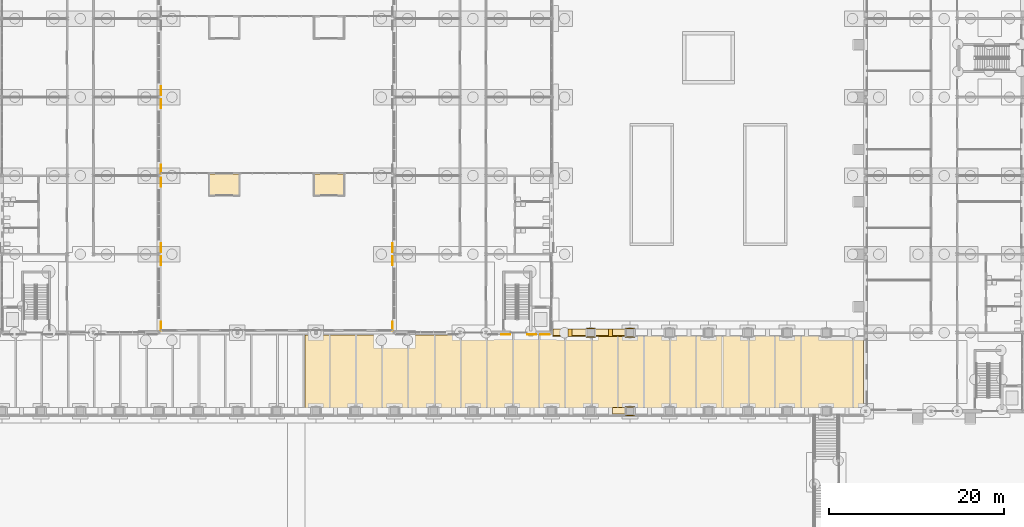
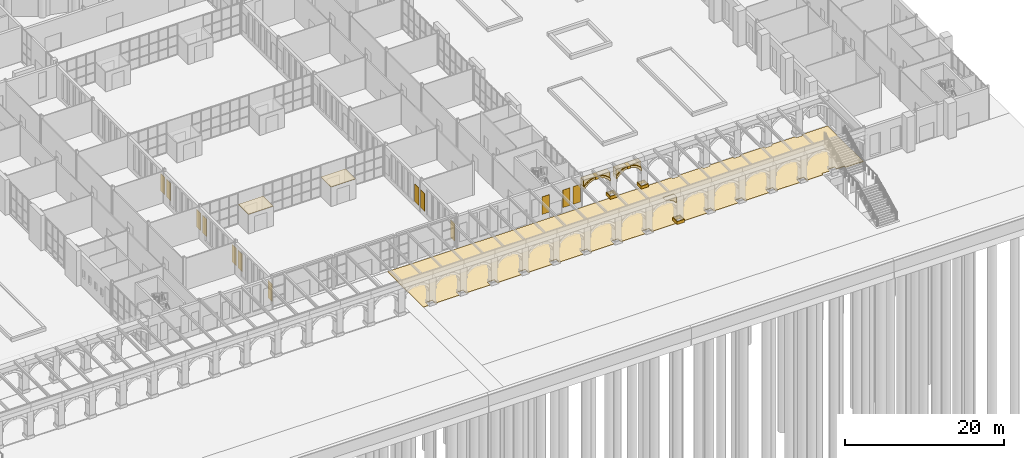
# One storey, part 134 of 168: 30 coverings.
"""IFC4 building model written with IfcOpenShell, lengths in metres."""

from ifc_helpers import new_model, si_unit, direction, frame, origin, place, context, subcontext, project, spatial, polyline, outline, extrude, material, layer, layer_set, type_object, element, save


model = new_model("IFC4")

# Units and contexts
model_context = context("Model", 3, precision=1e-05, world=origin(), true_north=direction((0.0, 1.0)))
body_context = subcontext(model_context, "Body", "Model", "MODEL_VIEW")
ifc_project = project(units=[si_unit("LENGTHUNIT", "METRE"), si_unit("AREAUNIT", "SQUARE_METRE"), si_unit("VOLUMEUNIT", "CUBIC_METRE"), si_unit("PLANEANGLEUNIT", "RADIAN"), si_unit("MASSUNIT", "GRAM", prefix="KILO")], contexts=[model_context])

# Site, building, storey
site_placement = place(None, origin())
site = spatial("IfcSite", under=ifc_project, at=site_placement, CompositionType="ELEMENT")
building_placement = place(site_placement, origin())
building = spatial("IfcBuilding", under=site, at=building_placement, Name="Golden Quay Civic Hall", CompositionType="ELEMENT")
storey_placement = place(building_placement, origin())
storey = spatial("IfcBuildingStorey", under=building, at=storey_placement, Name="L00", CompositionType="ELEMENT", Elevation=0.0)

# Coverings
ifc_material_1 = material(Name="Brick, dark clay facing", Category="masonry")
ifc_layer_1 = layer(ifc_material_1, 0.75)
ifc_layer_set_1 = layer_set([ifc_layer_1], Name="Brick arch spandrel infill 750")
covering_type_1 = type_object("IfcCoveringType", Name="Brick arch spandrel infill 750", PredefinedType="CLADDING", material=ifc_layer_set_1)
covering_1_placement = place(storey_placement, frame((123.97509765625, -9.300048828125, 4.091064453125), z_axis=(0.0, -1.0, 0.0), x_axis=(0.97842552974, 0.0, -0.206599813053)))
element("IfcCovering", 1, at=covering_1_placement, inside=storey, type_object=covering_type_1, Name="Arch spandrel outer bay 24 right", PredefinedType="CLADDING", context=body_context, shape_type="SweptSolid", body=[
    extrude(outline(polyline([(0.0, 0.0), (0.06263051710363293, 1.734723475976807e-18), (0.31267483867747137, -0.0001008788149670925), (0.5881025541456739, -0.03651242089648961), (0.8673750848258303, -0.11003975339043703), (1.1505561937424948, -0.22216655622637274), (1.4375212099073598, -0.3746658221616902), (1.7294911476562997, -0.5697749671774053), (1.7300697733119603, -0.5701518352031314), (1.539106176579233, 0.3342229342292182), (-0.0018662580768914177, 0.008838316552825392), (0.0, 0.0)])), origin(), (0.0, 0.0, -1.0), 0.75),
])
covering_2_placement = place(storey_placement, frame((117.199951171875, -0.300048828125, 3.1572265625), z_axis=(0.0, -1.0, 0.0), x_axis=(0.658056528973, 0.0, 0.752968528344)))
element("IfcCovering", 2, at=covering_2_placement, inside=storey, type_object=covering_type_1, Name="Arch spandrel inner1 bay 1 left", PredefinedType="CLADDING", context=body_context, shape_type="SweptSolid", body=[
    extrude(outline(polyline([(0.0, 0.0), (0.0385842612026579, 0.0), (0.4021525223351694, -0.03276039665791591), (0.7352018795032452, -0.09738057643804893), (1.0399151233174213, -0.19227712789255808), (1.3174647506449282, -0.31545263540967905), (1.568425423981958, -0.46608063545322176), (1.778152518425552, -0.6303723176978897), (1.8223660004242417, -0.6650096362183683), (1.8286162274661582, -0.659547252921231), (0.7099522598788931, 0.6204624792218898), (0.0, 0.0)])), origin(), (0.0, 0.0, -1.0), 0.75),
])
covering_3_placement = place(storey_placement, frame((119.35009765625, -0.300048828125, 4.091796875), z_axis=(0.0, -1.0, 0.0), x_axis=(0.982376592497, 0.0, -0.186912360519)))
element("IfcCovering", 3, at=covering_3_placement, inside=storey, type_object=covering_type_1, Name="Arch spandrel inner1 bay 1 right", PredefinedType="CLADDING", context=body_context, shape_type="SweptSolid", body=[
    extrude(outline(polyline([(0.0, 0.0), (0.05616561069495772, 0.0), (0.3225810962179613, -8.489841956726973e-06), (0.6130292018599638, -0.03620174733371928), (0.9074781455240727, -0.11040296603549432), (1.2058706207770802, -0.2236171309889091), (1.5078978096178108, -0.37813968321301317), (1.814301511987233, -0.5765632081953413), (1.8446749828176605, -0.600358112739552), (1.6684407210194774, 0.3258963795020623), (-0.001551518617591463, 0.0081544931994342), (0.0, 0.0)])), origin(), (0.0, 0.0, -1.0), 0.75),
])
covering_4_placement = place(storey_placement, frame((121.949951171875, -0.300048828125, 3.17578125), z_axis=(0.0, -1.0, 0.0), x_axis=(0.707106781187, 0.0, 0.707106781187)))
element("IfcCovering", 4, at=covering_4_placement, inside=storey, type_object=covering_type_1, Name="Arch spandrel inner1 bay 2 left", PredefinedType="CLADDING", context=body_context, shape_type="SweptSolid", body=[
    extrude(outline(polyline([(0.0, 0.0), (0.0006905339660024879, 0.0), (0.35182705567826755, 0.004143203796014933), (0.6755148522419337, -0.02468658928458889), (0.9739981590465092, -0.08528094480130727), (1.2481401435494968, -0.17608616133063437), (1.4988039732084, -0.29589380443206603), (1.7083810318901549, -0.4322742627175573), (1.760861613306344, -0.46645569403468046), (1.767249052491867, -0.4600682548491575), (0.6535903988213547, 0.6535903988213547), (0.0, 0.0)])), origin(), (0.0, 0.0, -1.0), 0.75),
])
covering_5_placement = place(storey_placement, frame((123.97509765625, -0.300048828125, 4.091064453125), z_axis=(0.0, -1.0, 0.0), x_axis=(0.97842552974, 0.0, -0.206599813053)))
element("IfcCovering", 5, at=covering_5_placement, inside=storey, type_object=covering_type_1, Name="Arch spandrel inner1 bay 2 right", PredefinedType="CLADDING", context=body_context, shape_type="SweptSolid", body=[
    extrude(outline(polyline([(0.0, 0.0), (0.06263051710363293, 1.734723475976807e-18), (0.31267483867747137, -0.0001008788149670925), (0.5881025541456739, -0.03651242089648961), (0.8673750848258303, -0.11003975339043703), (1.1505561937424948, -0.22216655622637274), (1.4375212099073598, -0.3746658221616902), (1.7294911476562997, -0.5697749671774053), (1.7300697733119603, -0.5701518352031314), (1.539106176579233, 0.3342229342292182), (-0.0018662580768914177, 0.008838316552825392), (0.0, 0.0)])), origin(), (0.0, 0.0, -1.0), 0.75),
])
ifc_material_2 = material(Name="Concrete block paving", Category="concrete")
ifc_layer_2 = layer(ifc_material_2, 0.10009765625)
ifc_layer_set_2 = layer_set([ifc_layer_2], Name="Concrete block paving 100")
covering_type_2 = type_object("IfcCoveringType", Name="Concrete block paving 100", PredefinedType="FLOORING", material=ifc_layer_set_2)
covering_6_placement = place(storey_placement, frame((0.0, 0.0, -0.10009765625)))
element("IfcCovering", 6, at=covering_6_placement, inside=storey, type_object=covering_type_2, Name="Arcade floor paving", PredefinedType="FLOORING", context=body_context, shape_type="SweptSolid", body=[
    extrude(outline(polyline([(152.75, -0.25), (152.75, -8.864990234375), (152.75, -9.25), (150.14990234375, -9.25), (150.14990234375, -8.949951171875), (149.0, -8.949951171875), (149.0, -8.5), (148.0, -8.5), (148.0, -8.949951171875), (146.85009765625, -8.949951171875), (146.85009765625, -9.25), (144.5, -9.25), (144.5, -8.5), (143.5, -8.5), (143.5, -9.25), (140.0, -9.25), (140.0, -8.5), (139.0, -8.5), (139.0, -9.25), (135.5, -9.25), (135.5, -8.5), (134.5, -8.5), (134.5, -9.25), (131.0, -9.25), (131.0, -8.5), (130.0, -8.5), (130.0, -9.25), (126.5, -9.25), (126.5, -8.5), (125.5, -8.5), (125.5, -9.25), (122.0, -9.25), (122.0, -8.5), (121.0, -8.5), (121.0, -9.25), (117.5, -9.25), (117.5, -8.5), (116.5, -8.5), (116.5, -9.25), (113.0, -9.25), (113.0, -8.5), (112.0, -8.5), (112.0, -9.25), (108.5, -9.25), (108.5, -8.5), (107.5, -8.5), (107.5, -9.25), (104.0, -9.25), (104.0, -8.5), (103.0, -8.5), (103.0, -9.25), (99.5, -9.25), (99.5, -8.5), (98.5, -8.5), (98.5, -9.25), (95.0, -9.25), (95.0, -8.5), (94.0, -8.5), (94.0, -9.25), (90.5, -9.25), (90.5, -8.5), (89.5, -8.5), (89.5, -9.25), (88.75, -9.25), (88.75, -0.25), (98.75, -0.25), (99.009033203125, -0.25), (99.25, -0.25), (106.490966796875, -0.25), (106.509033203125, -0.25), (109.490966796875, -0.25), (109.509033203125, -0.25), (116.990966796875, -0.25), (117.25, -0.25), (121.0, -0.25), (121.0, -0.5), (122.0, -0.5), (122.0, -0.25), (125.5, -0.25), (125.5, -0.5), (126.5, -0.5), (126.5, -0.25), (130.0, -0.25), (130.0, -0.5), (131.0, -0.5), (131.0, -0.25), (134.5, -0.25), (134.5, -0.5), (135.5, -0.5), (135.5, -0.25), (139.0, -0.25), (139.0, -0.5), (140.0, -0.5), (140.0, -0.25), (143.5, -0.25), (143.5, -0.5), (144.5, -0.5), (144.5, -0.25), (148.0, -0.25), (148.0, -0.5), (149.0, -0.5), (149.0, -0.25), (152.75, -0.25)])), origin(), (0.0, 0.0, 1.0), 0.10009765625),
])
ifc_material_3 = material(Name="Fire-resisting board")
ifc_layer_3 = layer(ifc_material_3, 0.030029296875)
ifc_layer_set_3 = layer_set([ifc_layer_3], Name="Fire lobby ceiling lining 30")
covering_type_3 = type_object("IfcCoveringType", Name="Fire lobby ceiling lining 30", PredefinedType="CEILING", material=ifc_layer_set_3)
covering_7_placement = place(storey_placement, frame((0.0, 0.0, 3.0)))
element("IfcCovering", 7, at=covering_7_placement, inside=storey, type_object=covering_type_3, Name="Fire lobby ceiling 1", PredefinedType="CEILING", context=body_context, shape_type="SweptSolid", body=[
    extrude(outline(polyline([(81.300048828125, 15.64501953125), (81.300048828125, 18.195068359375), (77.699951171875, 18.195068359375), (77.699951171875, 15.64501953125), (81.300048828125, 15.64501953125)])), origin(), (0.0, 0.0, 1.0), 0.030029296875),
])
covering_8_placement = place(storey_placement, frame((0.0, 0.0, 3.0)))
element("IfcCovering", 8, at=covering_8_placement, inside=storey, type_object=covering_type_3, Name="Fire lobby ceiling 1", PredefinedType="CEILING", context=body_context, shape_type="SweptSolid", body=[
    extrude(outline(polyline([(93.300048828125, 15.64501953125), (93.300048828125, 18.195068359375), (89.699951171875, 18.195068359375), (89.699951171875, 15.64501953125), (93.300048828125, 15.64501953125)])), origin(), (0.0, 0.0, 1.0), 0.030029296875),
])
ifc_material_4 = material(Name="Stone, buff limestone", Category="masonry")
ifc_layer_4 = layer(ifc_material_4, 0.89990234375)
ifc_layer_set_4 = layer_set([ifc_layer_4], Name="Stone arch keystone 450 x 420")
covering_type_4 = type_object("IfcCoveringType", Name="Stone arch keystone 450 x 420", PredefinedType="CLADDING", material=ifc_layer_set_4)
for number, where, z_axis, x_axis, name in (
    (9, (118.89990234375, -0.449951171875, 3.679931640625), (0.0, -1.0, 0.0), (1.0, 0.0, 0.0), "Arch keystone inner1 bay 1 crown"),
    (10, (123.52490234375, -0.449951171875, 3.679931640625), (0.0, -1.0, 0.0), (1.0, 0.0, 0.0), "Arch keystone inner1 bay 2 crown"),
):
    element("IfcCovering", number, at=place(storey_placement, frame(where, z_axis=z_axis, x_axis=x_axis)), inside=storey, type_object=covering_type_4, Name=name, PredefinedType="CLADDING", context=body_context, shape_type="SweptSolid", body=[
        extrude(outline(polyline([(0.0, 0.0), (0.4501953125, 0.0), (0.4501953125, 0.420166015625), (0.0, 0.420166015625), (0.0, 0.0)])), origin(), (0.0, 0.0, -1.0), 0.89990234375),
    ])
ifc_material_5 = material(Name="Stone, buff limestone", Category="masonry")
ifc_layer_5 = layer(ifc_material_5, 0.89990234375)
ifc_layer_set_5 = layer_set([ifc_layer_5], Name="Stone arch ring 900 x 300")
covering_type_5 = type_object("IfcCoveringType", Name="Stone arch ring 900 x 300", PredefinedType="CLADDING", material=ifc_layer_set_5)
covering_9_placement = place(storey_placement, frame((117.199951171875, -0.449951171875, 2.699951171875), z_axis=(0.0, -1.0, 0.0), x_axis=(0.655607573195, 0.0, 0.75510178782)))
element("IfcCovering", 11, at=covering_9_placement, inside=storey, type_object=covering_type_5, Name="Arch ring inner1 bay 1 left", PredefinedType="CLADDING", context=body_context, shape_type="SweptSolid", body=[
    extrude(outline(polyline([(0.0, 0.0), (0.37052641215113535, 0.0), (0.7049200239085212, -0.03137184676420662), (1.0065234442554076, -0.09089004085938673), (1.2786064104358172, -0.17636231724758233), (1.5230367232536635, -0.2858436600369565), (1.7414735419107, -0.41789352524343826), (1.934862912098755, -0.5713671991885638), (2.165486041142534, -0.37113158540273483), (2.1213852871341565, -0.3363508533714772), (1.9121928840139812, -0.1713788876459601), (1.6617227426728611, -0.019936613972285855), (1.3845746275894437, 0.1041396673527406), (1.0801711951167352, 0.2000253635360042), (0.7473334673810057, 0.26572687752618274), (0.3838735226929925, 0.29966789547627354), (0.3452894649872084, 0.2997932091293825), (0.0, 0.0)])), origin(), (0.0, 0.0, -1.0), 0.89990234375),
])
covering_10_placement = place(storey_placement, frame((119.35009765625, -0.449951171875, 3.786376953125), z_axis=(0.0, -1.0, 0.0), x_axis=(0.982939290351, 0.0, -0.183930289744)))
element("IfcCovering", 12, at=covering_10_placement, inside=storey, type_object=covering_type_5, Name="Arch ring inner1 bay 1 right", PredefinedType="CLADDING", context=body_context, shape_type="SweptSolid", body=[
    extrude(outline(polyline([(0.0, 0.0), (0.24688786340350402, 0.0), (0.5000778577654419, -0.03235177585634241), (0.759599436808497, -0.09854008490102112), (1.0258567442357194, -0.20072470584818516), (1.2991037580492646, -0.34159027309324475), (1.5805389067688107, -0.5248865835273426), (1.8707754072436686, -0.7552180748473547), (1.7866686121533664, -0.30574412689165364), (1.7563674913828704, -0.28185715779537124), (1.4505673541333268, -0.0825047057154874), (1.1490104843418525, 0.07293369438710287), (0.8509629531809246, 0.18705286719602054), (0.5567405431855433, 0.2621473059930982), (0.26640361034481397, 0.2992218172849632), (-1.0622654082560745e-05, 0.3000387959534945), (-0.05617597472395519, 0.30020924126672827), (0.0, 0.0)])), origin(), (0.0, 0.0, -1.0), 0.89990234375),
])
covering_11_placement = place(storey_placement, frame((121.949951171875, -0.449951171875, 2.699951171875), z_axis=(0.0, -1.0, 0.0), x_axis=(0.630180832165, 0.0, 0.776448400585)))
element("IfcCovering", 13, at=covering_11_placement, inside=storey, type_object=covering_type_5, Name="Arch ring inner1 bay 2 left", PredefinedType="CLADDING", context=body_context, shape_type="SweptSolid", body=[
    extrude(outline(polyline([(0.0, 0.0), (0.3571953394339093, 0.0), (0.6778408073481526, -0.02935016390994566), (0.9656562359875701, -0.08566026756533418), (1.2233312115769217, -0.1664329572349489), (1.452986632547569, -0.2696324374142566), (1.6564467051663616, -0.39440701136103273), (1.8345410995356382, -0.5394544374263122), (2.0726317223713804, -0.3462153931881483), (2.023967866388838, -0.30678937647863513), (1.8296201479431229, -0.14946443483618055), (1.5926919309667726, -0.004373956702034887), (1.3294118430005957, 0.11429790304869314), (1.038796361200025, 0.20543846536483718), (0.7198262528649223, 0.2675916358552039), (0.37014433379061235, 0.2997875748909126), (0.36945750311055836, 0.2998589946020553), (0.0, 0.0)])), origin(), (0.0, 0.0, -1.0), 0.89990234375),
])
covering_12_placement = place(storey_placement, frame((123.97509765625, -0.449951171875, 3.784423828125), z_axis=(0.0, -1.0, 0.0), x_axis=(0.978953882547, 0.0, -0.20408159115)))
element("IfcCovering", 14, at=covering_12_placement, inside=storey, type_object=covering_type_5, Name="Arch ring inner1 bay 2 right", PredefinedType="CLADDING", context=body_context, shape_type="SweptSolid", body=[
    extrude(outline(polyline([(0.0, 0.0), (0.22968754671057404, 0.0), (0.4662407685933837, -0.031737496286033756), (0.7094806084662527, -0.09674615254891705), (0.9602836680123576, -0.19683833887607075), (1.2190088401055397, -0.33493190882748347), (1.486164491441282, -0.5146617232013373), (1.7631254697749046, -0.7402301762123651), (1.666017310314196, -0.27441447379927847), (1.665439656274305, -0.27403611818824464), (1.3739727106559259, -0.07817636573824266), (1.0874010326963535, 0.07506077076837225), (0.8045093690852512, 0.18791584163726896), (0.5254269523975812, 0.26216151297199447), (0.25009383740278873, 0.29928162385615015), (5.060311670204709e-05, 0.3000258789264141), (-0.06257970666118522, 0.30018703039037287), (0.0, 0.0)])), origin(), (0.0, 0.0, -1.0), 0.89990234375),
])
ifc_material_6 = material(Name="Stone, buff limestone", Category="masonry")
ifc_layer_6 = layer(ifc_material_6, 0.449951171875)
ifc_layer_set_6 = layer_set([ifc_layer_6], Name="Stone pier plinth 450")
covering_type_6 = type_object("IfcCoveringType", Name="Stone pier plinth 450", PredefinedType="CLADDING", material=ifc_layer_set_6)
covering_13_placement = place(storey_placement, origin())
element("IfcCovering", 15, at=covering_13_placement, inside=storey, type_object=covering_type_6, Name="Pier plinth outer 126", PredefinedType="CLADDING", context=body_context, shape_type="SweptSolid", body=[
    extrude(outline(polyline([(125.449951171875, -9.550048828125), (126.550048828125, -9.550048828125), (126.550048828125, -8.449951171875), (125.449951171875, -8.449951171875), (125.449951171875, -9.550048828125)]), holes=[polyline([(125.550048828125, -9.449951171875), (126.449951171875, -9.449951171875), (126.449951171875, -8.550048828125), (125.550048828125, -8.550048828125), (125.550048828125, -9.449951171875)])]), origin(), (0.0, 0.0, 1.0), 0.449951171875),
])
covering_14_placement = place(storey_placement, origin())
element("IfcCovering", 16, at=covering_14_placement, inside=storey, type_object=covering_type_6, Name="Pier plinth inner1 121.5", PredefinedType="CLADDING", context=body_context, shape_type="SweptSolid", body=[
    extrude(outline(polyline([(120.949951171875, -0.550048828125), (122.050048828125, -0.550048828125), (122.050048828125, 0.550048828125), (120.949951171875, 0.550048828125), (120.949951171875, -0.550048828125)]), holes=[polyline([(121.050048828125, -0.449951171875), (121.949951171875, -0.449951171875), (121.949951171875, 0.449951171875), (121.050048828125, 0.449951171875), (121.050048828125, -0.449951171875)])]), origin(), (0.0, 0.0, 1.0), 0.449951171875),
])
covering_15_placement = place(storey_placement, origin())
element("IfcCovering", 17, at=covering_15_placement, inside=storey, type_object=covering_type_6, Name="Pier plinth inner1 126", PredefinedType="CLADDING", context=body_context, shape_type="SweptSolid", body=[
    extrude(outline(polyline([(125.449951171875, -0.550048828125), (126.550048828125, -0.550048828125), (126.550048828125, 0.550048828125), (125.449951171875, 0.550048828125), (125.449951171875, -0.550048828125)]), holes=[polyline([(125.550048828125, -0.449951171875), (126.449951171875, -0.449951171875), (126.449951171875, 0.449951171875), (125.550048828125, 0.449951171875), (125.550048828125, -0.449951171875)])]), origin(), (0.0, 0.0, 1.0), 0.449951171875),
])
ifc_material_7 = material(Name="Terracotta cladding, golden glaze", Category="masonry")
ifc_layer_7 = layer(ifc_material_7, 0.050048828125)
ifc_layer_set_7 = layer_set([ifc_layer_7], Name="Terracotta solid panel 1050 x 2700 x 50")
covering_type_7 = type_object("IfcCoveringType", Name="Terracotta solid panel 1050 x 2700 x 50", PredefinedType="CLADDING", material=ifc_layer_set_7)
covering_16_placement = place(storey_placement, frame((0.0, 0.0, 0.89990234375)))
element("IfcCovering", 18, at=covering_16_placement, inside=storey, type_object=covering_type_7, Name="Terracotta solid panel 1050 x 2700 x 50 L00 30", PredefinedType="CLADDING", context=body_context, shape_type="SweptSolid", body=[
    extrude(outline(polyline([(72.199951171875, 0.22509765625), (72.199951171875, 1.27490234375), (72.25, 1.27490234375), (72.25, 0.22509765625), (72.199951171875, 0.22509765625)])), origin(), (0.0, 0.0, 1.0), 2.7001953125),
])
covering_17_placement = place(storey_placement, frame((0.0, 0.0, 0.89990234375)))
element("IfcCovering", 19, at=covering_17_placement, inside=storey, type_object=covering_type_7, Name="Terracotta solid panel 1050 x 2700 x 50 L00 31", PredefinedType="CLADDING", context=body_context, shape_type="SweptSolid", body=[
    extrude(outline(polyline([(72.199951171875, 7.72509765625), (72.199951171875, 8.77490234375), (72.25, 8.77490234375), (72.25, 7.72509765625), (72.199951171875, 7.72509765625)])), origin(), (0.0, 0.0, 1.0), 2.7001953125),
])
covering_18_placement = place(storey_placement, frame((0.0, 0.0, 0.89990234375)))
element("IfcCovering", 20, at=covering_18_placement, inside=storey, type_object=covering_type_7, Name="Terracotta solid panel 1050 x 2700 x 50 L00 32", PredefinedType="CLADDING", context=body_context, shape_type="SweptSolid", body=[
    extrude(outline(polyline([(72.199951171875, 9.22509765625), (72.199951171875, 10.27490234375), (72.25, 10.27490234375), (72.25, 9.22509765625), (72.199951171875, 9.22509765625)])), origin(), (0.0, 0.0, 1.0), 2.7001953125),
])
covering_19_placement = place(storey_placement, frame((0.0, 0.0, 0.89990234375)))
element("IfcCovering", 21, at=covering_19_placement, inside=storey, type_object=covering_type_7, Name="Terracotta solid panel 1050 x 2700 x 50 L00 33", PredefinedType="CLADDING", context=body_context, shape_type="SweptSolid", body=[
    extrude(outline(polyline([(72.199951171875, 16.72509765625), (72.199951171875, 17.77490234375), (72.25, 17.77490234375), (72.25, 16.72509765625), (72.199951171875, 16.72509765625)])), origin(), (0.0, 0.0, 1.0), 2.7001953125),
])
covering_20_placement = place(storey_placement, frame((0.0, 0.0, 0.89990234375)))
element("IfcCovering", 22, at=covering_20_placement, inside=storey, type_object=covering_type_7, Name="Terracotta solid panel 1050 x 2700 x 50 L00 34", PredefinedType="CLADDING", context=body_context, shape_type="SweptSolid", body=[
    extrude(outline(polyline([(72.199951171875, 18.22509765625), (72.199951171875, 19.27490234375), (72.25, 19.27490234375), (72.25, 18.22509765625), (72.199951171875, 18.22509765625)])), origin(), (0.0, 0.0, 1.0), 2.7001953125),
])
covering_21_placement = place(storey_placement, frame((0.0, 0.0, 0.89990234375)))
element("IfcCovering", 23, at=covering_21_placement, inside=storey, type_object=covering_type_7, Name="Terracotta solid panel 1050 x 2700 x 50 L00 35", PredefinedType="CLADDING", context=body_context, shape_type="SweptSolid", body=[
    extrude(outline(polyline([(72.199951171875, 25.72509765625), (72.199951171875, 26.77490234375), (72.25, 26.77490234375), (72.25, 25.72509765625), (72.199951171875, 25.72509765625)])), origin(), (0.0, 0.0, 1.0), 2.7001953125),
])
covering_22_placement = place(storey_placement, frame((0.0, 0.0, 0.89990234375)))
element("IfcCovering", 24, at=covering_22_placement, inside=storey, type_object=covering_type_7, Name="Terracotta solid panel 1050 x 2700 x 50 L00 36", PredefinedType="CLADDING", context=body_context, shape_type="SweptSolid", body=[
    extrude(outline(polyline([(72.199951171875, 27.22509765625), (72.199951171875, 28.27490234375), (72.25, 28.27490234375), (72.25, 27.22509765625), (72.199951171875, 27.22509765625)])), origin(), (0.0, 0.0, 1.0), 2.7001953125),
])
covering_23_placement = place(storey_placement, frame((0.0, 0.0, 0.89990234375)))
element("IfcCovering", 25, at=covering_23_placement, inside=storey, type_object=covering_type_7, Name="Terracotta solid panel 1050 x 2700 x 50 L00 48", PredefinedType="CLADDING", context=body_context, shape_type="SweptSolid", body=[
    extrude(outline(polyline([(98.800048828125, 0.22509765625), (98.800048828125, 1.27490234375), (98.75, 1.27490234375), (98.75, 0.22509765625), (98.800048828125, 0.22509765625)])), origin(), (0.0, 0.0, 1.0), 2.7001953125),
])
covering_24_placement = place(storey_placement, frame((0.0, 0.0, 0.89990234375)))
element("IfcCovering", 26, at=covering_24_placement, inside=storey, type_object=covering_type_7, Name="Terracotta solid panel 1050 x 2700 x 50 L00 49", PredefinedType="CLADDING", context=body_context, shape_type="SweptSolid", body=[
    extrude(outline(polyline([(98.800048828125, 7.72509765625), (98.800048828125, 8.77490234375), (98.75, 8.77490234375), (98.75, 7.72509765625), (98.800048828125, 7.72509765625)])), origin(), (0.0, 0.0, 1.0), 2.7001953125),
])
covering_25_placement = place(storey_placement, frame((0.0, 0.0, 0.89990234375)))
element("IfcCovering", 27, at=covering_25_placement, inside=storey, type_object=covering_type_7, Name="Terracotta solid panel 1050 x 2700 x 50 L00 50", PredefinedType="CLADDING", context=body_context, shape_type="SweptSolid", body=[
    extrude(outline(polyline([(98.800048828125, 9.22509765625), (98.800048828125, 10.27490234375), (98.75, 10.27490234375), (98.75, 9.22509765625), (98.800048828125, 9.22509765625)])), origin(), (0.0, 0.0, 1.0), 2.7001953125),
])
covering_26_placement = place(storey_placement, frame((0.0, 0.0, 0.89990234375)))
element("IfcCovering", 28, at=covering_26_placement, inside=storey, type_object=covering_type_7, Name="Terracotta solid panel 1050 x 2700 x 50 L00 70", PredefinedType="CLADDING", context=body_context, shape_type="SweptSolid", body=[
    extrude(outline(polyline([(111.22509765625, -0.199951171875), (112.27490234375, -0.199951171875), (112.27490234375, -0.25), (111.22509765625, -0.25), (111.22509765625, -0.199951171875)])), origin(), (0.0, 0.0, 1.0), 2.7001953125),
])
covering_27_placement = place(storey_placement, frame((0.0, 0.0, 0.89990234375)))
element("IfcCovering", 29, at=covering_27_placement, inside=storey, type_object=covering_type_7, Name="Terracotta solid panel 1050 x 2700 x 50 L00 71", PredefinedType="CLADDING", context=body_context, shape_type="SweptSolid", body=[
    extrude(outline(polyline([(114.22509765625, -0.199951171875), (115.27490234375, -0.199951171875), (115.27490234375, -0.25), (114.22509765625, -0.25), (114.22509765625, -0.199951171875)])), origin(), (0.0, 0.0, 1.0), 2.7001953125),
])
covering_28_placement = place(storey_placement, frame((0.0, 0.0, 0.89990234375)))
element("IfcCovering", 30, at=covering_28_placement, inside=storey, type_object=covering_type_7, Name="Terracotta solid panel 1050 x 2700 x 50 L00 72", PredefinedType="CLADDING", context=body_context, shape_type="SweptSolid", body=[
    extrude(outline(polyline([(115.72509765625, -0.199951171875), (116.77490234375, -0.199951171875), (116.77490234375, -0.25), (115.72509765625, -0.25), (115.72509765625, -0.199951171875)])), origin(), (0.0, 0.0, 1.0), 2.7001953125),
])

save(model, "model.ifc")
